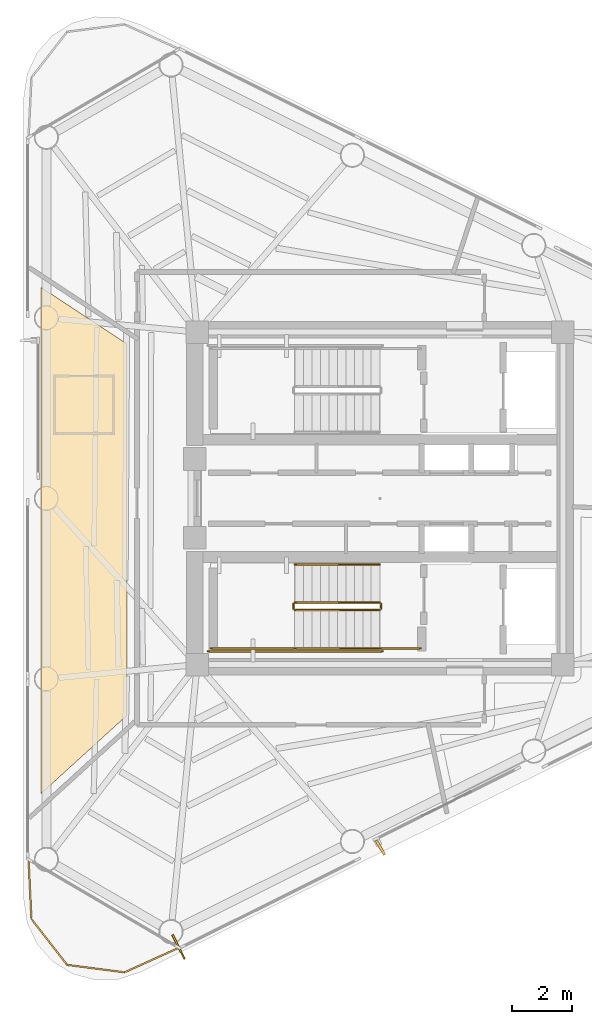
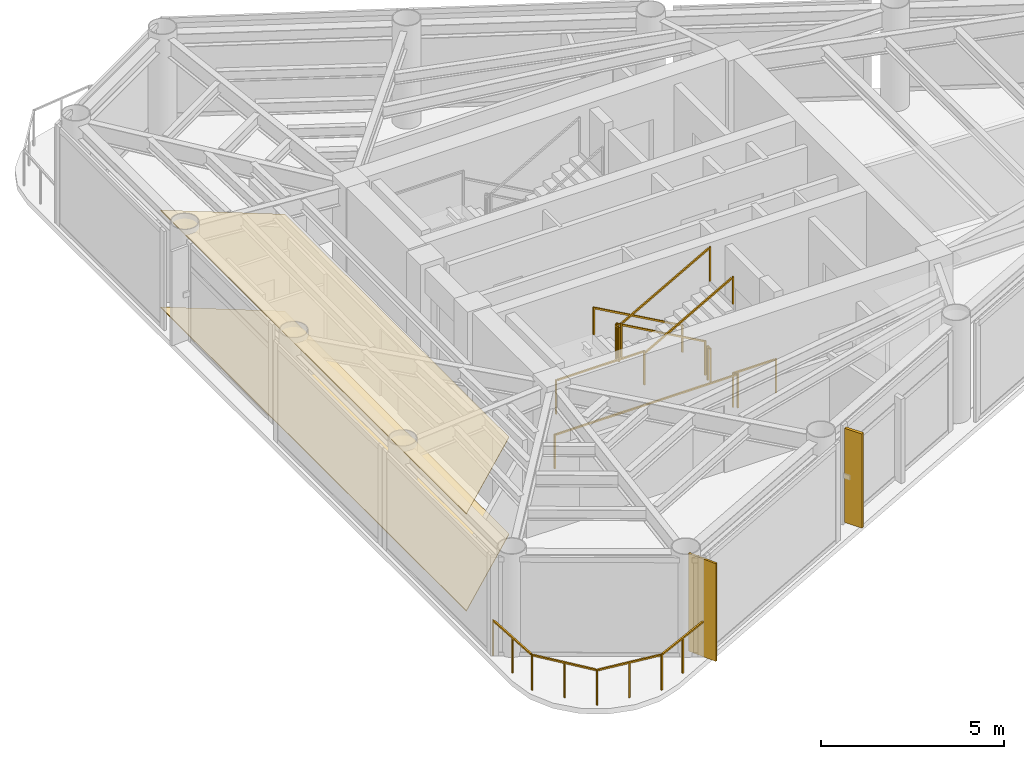
# One storey, part 7 of 10: 10 railings, 3 coverings, 1 shading device.
"""IFC4 building model written with IfcOpenShell, lengths in metres."""

from ifc_helpers import new_model, si_unit, direction, frame, origin, origin_2d, place, context, subcontext, project, spatial, polyline, rectangle, outline, extrude, source, transform, mapped, material, layer, layer_set, material_profile, profile_set, type_object, element, save


model = new_model("IFC4")

# Units and contexts
model_context = context("Model", 3, precision=1e-05, world=origin(), true_north=direction((0.0, 1.0)))
body_context = subcontext(model_context, "Body", "Model", "MODEL_VIEW")
ifc_project = project(units=[si_unit("LENGTHUNIT", "METRE"), si_unit("AREAUNIT", "SQUARE_METRE"), si_unit("VOLUMEUNIT", "CUBIC_METRE"), si_unit("PLANEANGLEUNIT", "RADIAN"), si_unit("MASSUNIT", "GRAM", prefix="KILO")], contexts=[model_context])

# Site, building, storey
site_placement = place(None, origin())
site = spatial("IfcSite", under=ifc_project, at=site_placement, CompositionType="ELEMENT")
building_placement = place(site_placement, origin())
building = spatial("IfcBuilding", under=site, at=building_placement, Name="Yunling Apex Tower", CompositionType="ELEMENT")
storey_placement = place(building_placement, frame((0.0, 0.0, 289.85009765625)))
storey = spatial("IfcBuildingStorey", under=building, at=storey_placement, Name="L70", CompositionType="ELEMENT", Elevation=289.85009765625)

# Coverings
ifc_material_1 = material(Name="Acoustic mineral fibre ceiling")
ifc_layer_1 = layer(ifc_material_1, 0.02490234375)
ifc_layer_set_1 = layer_set([ifc_layer_1], Name="Acoustic mineral fibre ceiling")
covering_type_1 = type_object("IfcCoveringType", Name="CV-CLG-1", PredefinedType="CEILING", material=ifc_layer_set_1)
covering_1_placement = place(storey_placement, frame((0.0, 0.0, 3.244873046875)))
element("IfcCovering", 1, at=covering_1_placement, inside=storey, type_object=covering_type_1, Name="CV-CL-SP-L70-AMN1", PredefinedType="CEILING", context=body_context, shape_type="SweptSolid", body=[
    extrude(outline(polyline([(-11.21728515625, 6.98291015625), (-8.3701171875, 5.110107421875), (-8.3701171875, -7.1787109375), (-11.21728515625, -9.7724609375), (-11.21728515625, 6.98291015625)])), origin(), (0.0, 0.0, 1.0), 0.025146484375),
])
ifc_material_2 = material(Name="Polished granite stone", Category="masonry")
ifc_layer_2 = layer(ifc_material_2, 0.030029296875)
ifc_layer_set_2 = layer_set([ifc_layer_2], Name="Polished granite stone")
covering_type_2 = type_object("IfcCoveringType", Name="CV-FLR-1", PredefinedType="FLOORING", material=ifc_layer_set_2)
covering_2_placement = place(storey_placement, origin())
element("IfcCovering", 2, at=covering_2_placement, inside=storey, type_object=covering_type_2, Name="CV-FL-SP-L70-AMN1", PredefinedType="FLOORING", context=body_context, shape_type="SweptSolid", body=[
    extrude(outline(polyline([(-11.21728515625, 6.98291015625), (-8.3701171875, 5.110107421875), (-8.3701171875, -7.1787109375), (-11.21728515625, -9.7724609375), (-11.21728515625, 6.98291015625)])), origin(), (0.0, 0.0, 1.0), 0.02978515625),
])

# Railings
ifc_material_3 = material(Name="Bronze anodised aluminium", Category="aluminium")
railing_type_1 = type_object("IfcRailingType", Name="RL-BAL-1200", PredefinedType="BALUSTRADE", material=ifc_material_3)
railing_1_placement = place(storey_placement, frame((-6.651123046875, -14.864990234375, 0.0)))
element("IfcRailing", 3, at=railing_1_placement, inside=storey, type_object=railing_type_1, Name="RL-CRNSILL-L70-3", PredefinedType="BALUSTRADE", context=body_context, shape_type="SweptSolid", body=[
    extrude(rectangle(XDim=0.0439453125, YDim=0.0439453125, at=origin_2d()), origin(), (0.0, 0.0, 1.0), 1.199951171875),
    extrude(rectangle(XDim=0.0439453125, YDim=0.0439453125, at=origin_2d()), frame((-1.799560546875, -0.814697265625, 0.0)), (0.0, 0.0, 1.0), 1.199951171875),
    extrude(rectangle(XDim=0.050048828125, YDim=0.050048828125, at=origin_2d()), frame((-0.034912109375, -0.015869140625, 1.1748046875), z_axis=(-0.910991856267, -0.412424341929, 0.0), x_axis=(0.412424341929, -0.910991856267, 0.0)), (0.0, 0.0, 1.0), 1.898681640625),
    extrude(rectangle(XDim=0.0439453125, YDim=0.0439453125, at=origin_2d()), frame((-0.89990234375, -0.4072265625, 0.0)), (0.0, 0.0, 1.0), 1.14599609375),
    extrude(rectangle(XDim=0.0439453125, YDim=0.0439453125, at=origin_2d()), frame((-3.69921875, -0.568603515625, 0.0)), (0.0, 0.0, 1.0), 1.199951171875),
    extrude(rectangle(XDim=0.050048828125, YDim=0.050048828125, at=origin_2d()), frame((-1.837646484375, -0.809814453125, 1.1748046875), z_axis=(-0.991713034877, 0.128472784881, 0.0), x_axis=(-0.128472784881, -0.991713034877, 0.0)), (0.0, 0.0, 1.0), 1.8388671875),
    extrude(rectangle(XDim=0.0439453125, YDim=0.0439453125, at=origin_2d()), frame((-2.74951171875, -0.691650390625, 0.0)), (0.0, 0.0, 1.0), 1.14599609375),
    extrude(rectangle(XDim=0.0439453125, YDim=0.0439453125, at=origin_2d()), frame((-4.880126953125, 0.947265625, 0.0)), (0.0, 0.0, 1.0), 1.199951171875),
    extrude(rectangle(XDim=0.050048828125, YDim=0.050048828125, at=origin_2d()), frame((-3.72265625, -0.538330078125, 1.1748046875), z_axis=(-0.61455614591, 0.788873084548, 0.0), x_axis=(-0.788873084548, -0.61455614591, 0.0)), (0.0, 0.0, 1.0), 1.844970703125),
    extrude(rectangle(XDim=0.0439453125, YDim=0.0439453125, at=origin_2d()), frame((-4.28955078125, 0.189453125, 0.0)), (0.0, 0.0, 1.0), 1.14599609375),
    extrude(rectangle(XDim=0.0439453125, YDim=0.0439453125, at=origin_2d()), frame((-4.97607421875, 2.919677734375, 0.0)), (0.0, 0.0, 1.0), 1.199951171875),
    extrude(rectangle(XDim=0.050048828125, YDim=0.050048828125, at=origin_2d()), frame((-4.882080078125, 0.985595703125, 1.1748046875), z_axis=(-0.048587182269, 0.998818945415, 0.0), x_axis=(-0.998818945415, -0.048587182269, 0.0)), (0.0, 0.0, 1.0), 1.898193359375),
    extrude(rectangle(XDim=0.0439453125, YDim=0.0439453125, at=origin_2d()), frame((-4.92822265625, 1.93359375, 0.0)), (0.0, 0.0, 1.0), 1.14599609375),
])
ifc_material_4 = material(Name="Steel Q355B", Category="steel")
railing_type_2 = type_object("IfcRailingType", Name="RL-GRD-1150", PredefinedType="GUARDRAIL", material=ifc_material_4)
railing_2_placement = place(storey_placement, frame((-0.010009765625, -3.449951171875, 0.15673828125)))
element("IfcRailing", 4, at=railing_2_placement, inside=storey, type_object=railing_type_2, Name="L70 ST-2 stair guard 1", PredefinedType="GUARDRAIL", context=body_context, shape_type="SweptSolid", body=[
    extrude(rectangle(XDim=0.0439453125, YDim=0.0439453125, at=origin_2d()), origin(), (0.0, 0.0, 1.0), 1.14990234375),
    extrude(rectangle(XDim=0.0439453125, YDim=0.0439453125, at=origin_2d()), frame((-2.800048828125, 0.0, 1.568115234375)), (0.0, 0.0, 1.0), 1.14990234375),
    extrude(rectangle(XDim=0.050048828125, YDim=0.050048828125, at=origin_2d()), frame((-0.033447265625, 0.0, 1.1435546875), z_axis=(-0.872494340497, 0.0, 0.48862421737), x_axis=(0.0, -1.0, 0.0)), (0.0, 0.0, 1.0), 3.132568359375),
])
railing_3_placement = place(storey_placement, frame((-2.860107421875, -3.5, 1.724853515625)))
element("IfcRailing", 5, at=railing_3_placement, inside=storey, type_object=railing_type_2, Name="L70 ST-2 stair guard 2", PredefinedType="GUARDRAIL", context=body_context, shape_type="SweptSolid", body=[
    extrude(rectangle(XDim=0.0439453125, YDim=0.0439453125, at=origin_2d()), origin(), (0.0, 0.0, 1.0), 1.14990234375),
    extrude(rectangle(XDim=0.0439453125, YDim=0.0439453125, at=origin_2d()), frame((0.0, -0.14990234375, 0.0)), (0.0, 0.0, 1.0), 1.14990234375),
    extrude(rectangle(XDim=0.050048828125, YDim=0.050048828125, at=origin_2d()), frame((0.0, -0.038330078125, 1.125), z_axis=(0.0, -1.0, 0.0), x_axis=(1.0, 0.0, 0.0)), (0.0, 0.0, 1.0), 0.0732421875),
])
railing_4_placement = place(storey_placement, frame((-2.81005859375, -4.9599609375, 1.724853515625)))
element("IfcRailing", 6, at=railing_4_placement, inside=storey, type_object=railing_type_2, Name="L70 ST-2 stair guard 3", PredefinedType="GUARDRAIL", context=body_context, shape_type="SweptSolid", body=[
    extrude(rectangle(XDim=0.0439453125, YDim=0.0439453125, at=origin_2d()), origin(), (0.0, 0.0, 1.0), 1.14990234375),
    extrude(rectangle(XDim=0.0439453125, YDim=0.0439453125, at=origin_2d()), frame((-2.7900390625, 0.0, 0.0)), (0.0, 0.0, 1.0), 1.14990234375),
    extrude(rectangle(XDim=0.050048828125, YDim=0.050048828125, at=origin_2d()), frame((-0.038330078125, 0.0, 1.125), z_axis=(-1.0, 0.0, 0.0), x_axis=(0.0, -1.0, 0.0)), (0.0, 0.0, 1.0), 2.71337890625),
])
railing_5_placement = place(storey_placement, frame((-2.81005859375, -3.699951171875, 1.8818359375)))
element("IfcRailing", 7, at=railing_5_placement, inside=storey, type_object=railing_type_2, Name="L70 ST-2 stair guard 4", PredefinedType="GUARDRAIL", context=body_context, shape_type="SweptSolid", body=[
    extrude(rectangle(XDim=0.0439453125, YDim=0.0439453125, at=origin_2d()), origin(), (0.0, 0.0, 1.0), 1.14990234375),
    extrude(rectangle(XDim=0.0439453125, YDim=0.0439453125, at=origin_2d()), frame((2.800048828125, 0.0, 1.568115234375)), (0.0, 0.0, 1.0), 1.14990234375),
    extrude(rectangle(XDim=0.050048828125, YDim=0.050048828125, at=origin_2d()), frame((0.033447265625, 0.0, 1.1435546875), z_axis=(0.872494340497, 0.0, 0.48862421737), x_axis=(0.0, 1.0, 0.0)), (0.0, 0.0, 1.0), 3.132568359375),
])
railing_6_placement = place(storey_placement, frame((0.0400390625, -3.5, 0.0)))
element("IfcRailing", 8, at=railing_6_placement, inside=storey, type_object=railing_type_2, Name="L70 ST-2 stair guard 5", PredefinedType="GUARDRAIL", context=body_context, shape_type="SweptSolid", body=[
    extrude(rectangle(XDim=0.0439453125, YDim=0.0439453125, at=origin_2d()), origin(), (0.0, 0.0, 1.0), 1.14990234375),
    extrude(rectangle(XDim=0.0439453125, YDim=0.0439453125, at=origin_2d()), frame((0.0, -0.14990234375, 0.0)), (0.0, 0.0, 1.0), 1.14990234375),
    extrude(rectangle(XDim=0.050048828125, YDim=0.050048828125, at=origin_2d()), frame((0.0, -0.038330078125, 1.125), z_axis=(0.0, -1.0, 0.0), x_axis=(1.0, 0.0, 0.0)), (0.0, 0.0, 1.0), 0.0732421875),
])
railing_7_placement = place(storey_placement, frame((1.35009765625, -4.9599609375, 0.0)))
element("IfcRailing", 9, at=railing_7_placement, inside=storey, type_object=railing_type_2, Name="L70 ST-2 stair guard 6", PredefinedType="GUARDRAIL", context=body_context, shape_type="SweptSolid", body=[
    extrude(rectangle(XDim=0.0439453125, YDim=0.0439453125, at=origin_2d()), origin(), (0.0, 0.0, 1.0), 1.14990234375),
    extrude(rectangle(XDim=0.0439453125, YDim=0.0439453125, at=origin_2d()), frame((-1.360107421875, 0.0, 0.0)), (0.0, 0.0, 1.0), 1.14990234375),
    extrude(rectangle(XDim=0.050048828125, YDim=0.050048828125, at=origin_2d()), frame((-0.038330078125, 0.0, 1.125), z_axis=(-1.0, 0.0, 0.0), x_axis=(0.0, -1.0, 0.0)), (0.0, 0.0, 1.0), 1.283447265625),
])
railing_8_placement = place(storey_placement, frame((0.090087890625, -5.06005859375, 0.0)))
element("IfcRailing", 10, at=railing_8_placement, inside=storey, type_object=railing_type_2, Name="L70 ST-2 stair guard 7", PredefinedType="GUARDRAIL", context=body_context, shape_type="SweptSolid", body=[
    extrude(rectangle(XDim=0.0439453125, YDim=0.0439453125, at=origin_2d()), origin(), (0.0, 0.0, 1.0), 1.14990234375),
    extrude(rectangle(XDim=0.0439453125, YDim=0.0439453125, at=origin_2d()), frame((-5.7900390625, 0.0, 0.0)), (0.0, 0.0, 1.0), 1.14990234375),
    extrude(rectangle(XDim=0.050048828125, YDim=0.050048828125, at=origin_2d()), frame((-0.038330078125, 0.0, 1.125), z_axis=(-1.0, 0.0, 0.0), x_axis=(0.0, -1.0, 0.0)), (0.0, 0.0, 1.0), 5.71337890625),
])
ifc_material_5 = material(Name="Silver anodised aluminium", Category="aluminium")
railing_type_3 = type_object("IfcRailingType", Name="RL-HND-900", PredefinedType="HANDRAIL", material=ifc_material_5)
railing_9_placement = place(storey_placement, frame((-0.010009765625, -2.18994140625, 0.15673828125)))
element("IfcRailing", 11, at=railing_9_placement, inside=storey, type_object=railing_type_3, Name="L70 ST-2 stair handrail 1", PredefinedType="HANDRAIL", context=body_context, shape_type="SweptSolid", body=[
    extrude(rectangle(XDim=0.0439453125, YDim=0.0439453125, at=origin_2d()), origin(), (0.0, 0.0, 1.0), 0.919921875),
    extrude(rectangle(XDim=0.0439453125, YDim=0.0439453125, at=origin_2d()), frame((-2.800048828125, 0.0, 1.568115234375)), (0.0, 0.0, 1.0), 0.919921875),
    extrude(rectangle(XDim=0.050048828125, YDim=0.050048828125, at=origin_2d()), frame((-0.033447265625, 0.0, 0.91357421875), z_axis=(-0.872494340497, 0.0, 0.48862421737), x_axis=(0.0, -1.0, 0.0)), (0.0, 0.0, 1.0), 3.132568359375),
])
railing_10_placement = place(storey_placement, frame((-2.81005859375, -4.9599609375, 1.8818359375)))
element("IfcRailing", 12, at=railing_10_placement, inside=storey, type_object=railing_type_3, Name="L70 ST-2 stair handrail 2", PredefinedType="HANDRAIL", context=body_context, shape_type="SweptSolid", body=[
    extrude(rectangle(XDim=0.0439453125, YDim=0.0439453125, at=origin_2d()), origin(), (0.0, 0.0, 1.0), 0.919921875),
    extrude(rectangle(XDim=0.0439453125, YDim=0.0439453125, at=origin_2d()), frame((2.800048828125, 0.0, 1.568115234375)), (0.0, 0.0, 1.0), 0.919921875),
    extrude(rectangle(XDim=0.050048828125, YDim=0.050048828125, at=origin_2d()), frame((0.033447265625, 0.0, 0.91357421875), z_axis=(0.872494340497, 0.0, 0.48862421737), x_axis=(0.0, 1.0, 0.0)), (0.0, 0.0, 1.0), 3.132568359375),
])

# Covering
ifc_layer_3 = layer(ifc_material_3, 0.0400390625)
ifc_layer_set_3 = layer_set([ifc_layer_3], Name="Bronze anodised aluminium")
covering_type_3 = type_object("IfcCoveringType", Name="CV-CLD-1", PredefinedType="CLADDING", material=ifc_layer_set_3)
shared_shape_1 = source(origin(), body_context, "Body", "SweptSolid", [
    extrude(rectangle(XDim=0.06005859375, YDim=0.89990234375, at=origin_2d()), origin(), (0.0, 0.0, 1.0), 3.27001953125),
])
covering_3_placement = place(storey_placement, frame((-6.66455078125, -14.837890625, 0.0), z_axis=(0.0, 0.0, 1.0), x_axis=(0.895245648325, 0.445572922377, 0.0)))
element("IfcCovering", 13, at=covering_3_placement, inside=storey, type_object=covering_type_3, Name="CV-CLD-L70", PredefinedType="CLADDING", context=body_context, shape_type="MappedRepresentation", body=[
    mapped(shared_shape_1, transform((0.0, 0.0, 0.0), scale=1.0)),
])

# Shading device
ifc_material_profile = material_profile(ifc_material_3, rectangle(XDim=0.0849609375, YDim=0.550048828125, at=origin_2d()))
ifc_profile_set = profile_set([ifc_material_profile], Name="Bronze anodised aluminium")
shading_device_type = type_object("IfcShadingDeviceType", Name="FN-BRZ-3", PredefinedType="USERDEFINED", material=ifc_profile_set)
shared_shape_2 = source(origin(), body_context, "Body", "SweptSolid", [
    extrude(rectangle(XDim=0.0849609375, YDim=0.550048828125, at=origin_2d()), origin(), (0.0, 0.0, 1.0), 3.14990234375),
])
shading_device_placement = place(storey_placement, frame((0.013671875, -11.553466796875, 0.06005859375), z_axis=(0.0, 0.0, 1.0), x_axis=(0.864186995248, 0.503170783377, 0.0)))
element("IfcShadingDevice", 14, at=shading_device_placement, inside=storey, type_object=shading_device_type, Name="CW-L70-F1-B2-FIN-01", ObjectType="FIN", PredefinedType="USERDEFINED", context=body_context, shape_type="MappedRepresentation", body=[
    mapped(shared_shape_2, transform((0.0, 0.0, 0.0), scale=1.0)),
])

save(model, "model.ifc")
